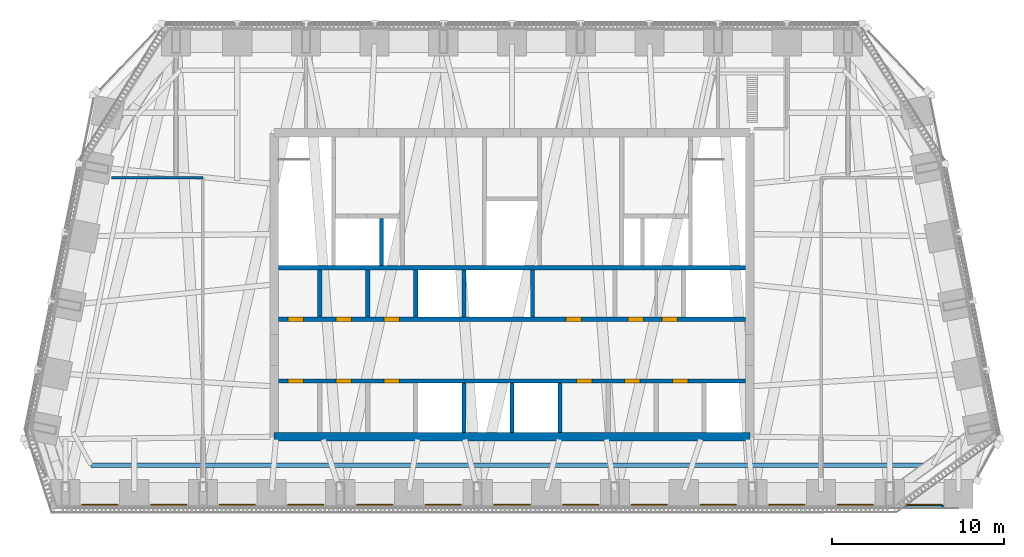
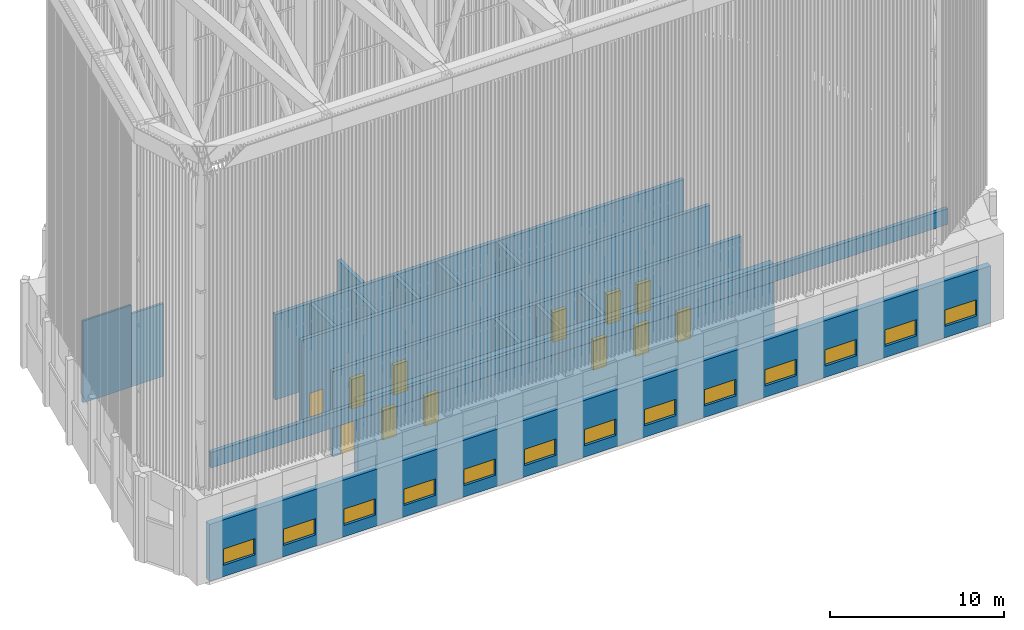
# One storey, part 5 of 15: 17 walls, 13 windows, 12 doors, 25 openings.
"""IFC4 building model written with IfcOpenShell, lengths in metres."""

from ifc_helpers import new_model, si_unit, direction, frame, frame_2d, origin, place, context, subcontext, project, spatial, rectangle, extrude, material, layer, layer_set, type_object, element, fill, save


model = new_model("IFC4")

# Units and contexts
model_context = context("Model", 3, precision=1e-05, world=origin(), true_north=direction((0.0, 1.0)))
body_context = subcontext(model_context, "Body", "Model", "MODEL_VIEW")
ifc_project = project(units=[si_unit("LENGTHUNIT", "METRE"), si_unit("AREAUNIT", "SQUARE_METRE"), si_unit("VOLUMEUNIT", "CUBIC_METRE"), si_unit("PLANEANGLEUNIT", "RADIAN"), si_unit("MASSUNIT", "GRAM", prefix="KILO")], contexts=[model_context])

# Site, building, storey
site_placement = place(None, origin())
site = spatial("IfcSite", under=ifc_project, at=site_placement, CompositionType="ELEMENT")
building_placement = place(site_placement, origin())
building = spatial("IfcBuilding", under=site, at=building_placement, Name="Isbrekke Arena Tower", CompositionType="ELEMENT")
storey_placement = place(building_placement, frame((0.0, 0.0, 324.0)))
storey = spatial("IfcBuildingStorey", under=building, at=storey_placement, Name="L76", CompositionType="ELEMENT", Elevation=324.0)

# Wall
ifc_material_1 = material(Name="Concrete B55 (C55/67)", Category="concrete")
ifc_layer_1 = layer(ifc_material_1, 0.5)
ifc_layer_set_1 = layer_set([ifc_layer_1], Name="CW5 CORE WALL 500")
wall_type_1 = type_object("IfcWallType", Name="CW5 CORE WALL 500", PredefinedType="SHEAR", material=ifc_layer_set_1)
wall_1_placement = place(storey_placement, frame((-13.85009765625, 6.14990234375, 0.0), z_axis=(0.0, 0.0, 1.0), x_axis=(1.0, 0.0, 0.0)))
element("IfcWall", 1, at=wall_1_placement, inside=storey, type_object=wall_type_1, Name="Core wall S L76", PredefinedType="SHEAR", context=body_context, shape_type="SweptSolid", body=[
    extrude(rectangle(XDim=27.7001953125, YDim=0.5, at=frame_2d((13.85009765625, 0.0))), origin(), (0.0, 0.0, 1.0), 6.0),
])

# Wall, openings, doors
ifc_material_2 = material(Name="Concrete B45 (C45/55)", Category="concrete")
ifc_layer_2 = layer(ifc_material_2, 0.25)
ifc_layer_set_2 = layer_set([ifc_layer_2], Name="CW6 SHAFT WALL 250")
wall_type_2 = type_object("IfcWallType", Name="CW6 SHAFT WALL 250", PredefinedType="SHEAR", material=ifc_layer_set_2)
wall_2_placement = place(storey_placement, frame((-13.60009765625, 9.39990234375, 0.0), z_axis=(0.0, 0.0, 1.0), x_axis=(1.0, 0.0, 0.0)))
wall_2 = element("IfcWall", 2, at=wall_2_placement, inside=storey, type_object=wall_type_2, Name="Core wall LS L76", PredefinedType="SHEAR", context=body_context, shape_type="SweptSolid", body=[
    extrude(rectangle(XDim=27.2001953125, YDim=0.25, at=frame_2d((13.60009765625, 0.0))), origin(), (0.0, 0.0, 1.0), 6.0),
])
opening_1_placement = place(wall_2_placement, frame((0.550048828125, 0.0, 0.0)))
opening_1 = element("IfcOpeningElement", 3, at=opening_1_placement, cuts=wall_2, Name="Opening D5", PredefinedType="OPENING", context=body_context, shape_type="SweptSolid", body=[
    extrude(rectangle(XDim=0.89990234375, YDim=2.10009765625, at=frame_2d((0.449951171875, 1.050048828125))), frame((0.0, 0.139892578125, 0.0), z_axis=(0.0, -1.0, 0.0), x_axis=(1.0, 0.0, 0.0)), (0.0, 0.0, 1.0), 0.27978515625),
])
opening_2_placement = place(wall_2_placement, frame((3.35009765625, 0.0, 0.0)))
opening_2 = element("IfcOpeningElement", 4, at=opening_2_placement, cuts=wall_2, Name="Opening D5", PredefinedType="OPENING", context=body_context, shape_type="SweptSolid", body=[
    extrude(rectangle(XDim=0.89990234375, YDim=2.10009765625, at=frame_2d((0.449951171875, 1.050048828125))), frame((0.0, 0.139892578125, 0.0), z_axis=(0.0, -1.0, 0.0), x_axis=(1.0, 0.0, 0.0)), (0.0, 0.0, 1.0), 0.27978515625),
])
opening_3_placement = place(wall_2_placement, frame((6.14990234375, 0.0, 0.0)))
opening_3 = element("IfcOpeningElement", 5, at=opening_3_placement, cuts=wall_2, Name="Opening D5", PredefinedType="OPENING", context=body_context, shape_type="SweptSolid", body=[
    extrude(rectangle(XDim=0.89990234375, YDim=2.10009765625, at=frame_2d((0.449951171875, 1.050048828125))), frame((0.0, 0.139892578125, 0.0), z_axis=(0.0, -1.0, 0.0), x_axis=(1.0, 0.0, 0.0)), (0.0, 0.0, 1.0), 0.27978515625),
])
opening_4_placement = place(wall_2_placement, frame((17.35009765625, 0.0, 0.0)))
opening_4 = element("IfcOpeningElement", 6, at=opening_4_placement, cuts=wall_2, Name="Opening D5", PredefinedType="OPENING", context=body_context, shape_type="SweptSolid", body=[
    extrude(rectangle(XDim=0.89990234375, YDim=2.10009765625, at=frame_2d((0.449951171875, 1.050048828125))), frame((0.0, 0.139892578125, 0.0), z_axis=(0.0, -1.0, 0.0), x_axis=(1.0, 0.0, 0.0)), (0.0, 0.0, 1.0), 0.27978515625),
])
opening_5_placement = place(wall_2_placement, frame((20.14990234375, 0.0, 0.0)))
opening_5 = element("IfcOpeningElement", 7, at=opening_5_placement, cuts=wall_2, Name="Opening D5", PredefinedType="OPENING", context=body_context, shape_type="SweptSolid", body=[
    extrude(rectangle(XDim=0.89990234375, YDim=2.10009765625, at=frame_2d((0.449951171875, 1.050048828125))), frame((0.0, 0.139892578125, 0.0), z_axis=(0.0, -1.0, 0.0), x_axis=(1.0, 0.0, 0.0)), (0.0, 0.0, 1.0), 0.27978515625),
])
opening_6_placement = place(wall_2_placement, frame((22.949951171875, 0.0, 0.0)))
opening_6 = element("IfcOpeningElement", 8, at=opening_6_placement, cuts=wall_2, Name="Opening D5", PredefinedType="OPENING", context=body_context, shape_type="SweptSolid", body=[
    extrude(rectangle(XDim=0.89990234375, YDim=2.10009765625, at=frame_2d((0.449951171875, 1.050048828125))), frame((0.0, 0.139892578125, 0.0), z_axis=(0.0, -1.0, 0.0), x_axis=(1.0, 0.0, 0.0)), (0.0, 0.0, 1.0), 0.27978515625),
])
ifc_material_3 = material(Name="Steel fire door", Category="steel")
door_type = type_object("IfcDoorType", Name="D5 SERVICE DOOR 900 x 2100", OperationType="SINGLE_SWING_LEFT", PredefinedType="DOOR", material=ifc_material_3)
door_1_placement = place(opening_1_placement, origin())
door_1 = element("IfcDoor", 9, at=door_1_placement, inside=storey, type_object=door_type, Name="D5 plant store door L76", OperationType="SINGLE_SWING_LEFT", OverallHeight=2.10009765625, OverallWidth=0.89990234375, PredefinedType="DOOR", context=body_context, shape_type="SweptSolid", body=[
    extrude(rectangle(XDim=0.89990234375, YDim=2.10009765625, at=frame_2d((0.449951171875, 1.050048828125))), frame((0.0, 0.124755859375, 0.0), z_axis=(0.0, -1.0, 0.0), x_axis=(1.0, 0.0, 0.0)), (0.0, 0.0, 1.0), 0.24951171875),
])
fill(opening_1, door_1)
door_2_placement = place(opening_2_placement, origin())
door_2 = element("IfcDoor", 10, at=door_2_placement, inside=storey, type_object=door_type, Name="D5 plant store door L76", OperationType="SINGLE_SWING_LEFT", OverallHeight=2.10009765625, OverallWidth=0.89990234375, PredefinedType="DOOR", context=body_context, shape_type="SweptSolid", body=[
    extrude(rectangle(XDim=0.89990234375, YDim=2.10009765625, at=frame_2d((0.449951171875, 1.050048828125))), frame((0.0, 0.124755859375, 0.0), z_axis=(0.0, -1.0, 0.0), x_axis=(1.0, 0.0, 0.0)), (0.0, 0.0, 1.0), 0.24951171875),
])
fill(opening_2, door_2)
door_3_placement = place(opening_3_placement, origin())
door_3 = element("IfcDoor", 11, at=door_3_placement, inside=storey, type_object=door_type, Name="D5 plant store door L76", OperationType="SINGLE_SWING_LEFT", OverallHeight=2.10009765625, OverallWidth=0.89990234375, PredefinedType="DOOR", context=body_context, shape_type="SweptSolid", body=[
    extrude(rectangle(XDim=0.89990234375, YDim=2.10009765625, at=frame_2d((0.449951171875, 1.050048828125))), frame((0.0, 0.124755859375, 0.0), z_axis=(0.0, -1.0, 0.0), x_axis=(1.0, 0.0, 0.0)), (0.0, 0.0, 1.0), 0.24951171875),
])
fill(opening_3, door_3)
door_4_placement = place(opening_4_placement, origin())
door_4 = element("IfcDoor", 12, at=door_4_placement, inside=storey, type_object=door_type, Name="D5 plant store door L76", OperationType="SINGLE_SWING_LEFT", OverallHeight=2.10009765625, OverallWidth=0.89990234375, PredefinedType="DOOR", context=body_context, shape_type="SweptSolid", body=[
    extrude(rectangle(XDim=0.89990234375, YDim=2.10009765625, at=frame_2d((0.449951171875, 1.050048828125))), frame((0.0, 0.124755859375, 0.0), z_axis=(0.0, -1.0, 0.0), x_axis=(1.0, 0.0, 0.0)), (0.0, 0.0, 1.0), 0.24951171875),
])
fill(opening_4, door_4)
door_5_placement = place(opening_5_placement, origin())
door_5 = element("IfcDoor", 13, at=door_5_placement, inside=storey, type_object=door_type, Name="D5 plant store door L76", OperationType="SINGLE_SWING_LEFT", OverallHeight=2.10009765625, OverallWidth=0.89990234375, PredefinedType="DOOR", context=body_context, shape_type="SweptSolid", body=[
    extrude(rectangle(XDim=0.89990234375, YDim=2.10009765625, at=frame_2d((0.449951171875, 1.050048828125))), frame((0.0, 0.124755859375, 0.0), z_axis=(0.0, -1.0, 0.0), x_axis=(1.0, 0.0, 0.0)), (0.0, 0.0, 1.0), 0.24951171875),
])
fill(opening_5, door_5)
door_6_placement = place(opening_6_placement, origin())
door_6 = element("IfcDoor", 14, at=door_6_placement, inside=storey, type_object=door_type, Name="D5 plant store door L76", OperationType="SINGLE_SWING_LEFT", OverallHeight=2.10009765625, OverallWidth=0.89990234375, PredefinedType="DOOR", context=body_context, shape_type="SweptSolid", body=[
    extrude(rectangle(XDim=0.89990234375, YDim=2.10009765625, at=frame_2d((0.449951171875, 1.050048828125))), frame((0.0, 0.124755859375, 0.0), z_axis=(0.0, -1.0, 0.0), x_axis=(1.0, 0.0, 0.0)), (0.0, 0.0, 1.0), 0.24951171875),
])
fill(opening_6, door_6)

wall_3_placement = place(storey_placement, frame((-13.60009765625, 13.0, 0.0), z_axis=(0.0, 0.0, 1.0), x_axis=(1.0, 0.0, 0.0)))
wall_3 = element("IfcWall", 15, at=wall_3_placement, inside=storey, type_object=wall_type_2, Name="Core wall LN L76", PredefinedType="SHEAR", context=body_context, shape_type="SweptSolid", body=[
    extrude(rectangle(XDim=27.2001953125, YDim=0.25, at=frame_2d((13.60009765625, 0.0))), origin(), (0.0, 0.0, 1.0), 6.0),
])
opening_7_placement = place(wall_3_placement, frame((0.550048828125, 0.0, 0.0)))
opening_7 = element("IfcOpeningElement", 16, at=opening_7_placement, cuts=wall_3, Name="Opening D5", PredefinedType="OPENING", context=body_context, shape_type="SweptSolid", body=[
    extrude(rectangle(XDim=0.89990234375, YDim=2.10009765625, at=frame_2d((0.449951171875, 1.050048828125))), frame((0.0, 0.139892578125, 0.0), z_axis=(0.0, -1.0, 0.0), x_axis=(1.0, 0.0, 0.0)), (0.0, 0.0, 1.0), 0.27978515625),
])
opening_8_placement = place(wall_3_placement, frame((3.35009765625, 0.0, 0.0)))
opening_8 = element("IfcOpeningElement", 17, at=opening_8_placement, cuts=wall_3, Name="Opening D5", PredefinedType="OPENING", context=body_context, shape_type="SweptSolid", body=[
    extrude(rectangle(XDim=0.89990234375, YDim=2.10009765625, at=frame_2d((0.449951171875, 1.050048828125))), frame((0.0, 0.139892578125, 0.0), z_axis=(0.0, -1.0, 0.0), x_axis=(1.0, 0.0, 0.0)), (0.0, 0.0, 1.0), 0.27978515625),
])
opening_9_placement = place(wall_3_placement, frame((6.14990234375, 0.0, 0.0)))
opening_9 = element("IfcOpeningElement", 18, at=opening_9_placement, cuts=wall_3, Name="Opening D5", PredefinedType="OPENING", context=body_context, shape_type="SweptSolid", body=[
    extrude(rectangle(XDim=0.89990234375, YDim=2.10009765625, at=frame_2d((0.449951171875, 1.050048828125))), frame((0.0, 0.139892578125, 0.0), z_axis=(0.0, -1.0, 0.0), x_axis=(1.0, 0.0, 0.0)), (0.0, 0.0, 1.0), 0.27978515625),
])
opening_10_placement = place(wall_3_placement, frame((16.75, 0.0, 0.0)))
opening_10 = element("IfcOpeningElement", 19, at=opening_10_placement, cuts=wall_3, Name="Opening D5", PredefinedType="OPENING", context=body_context, shape_type="SweptSolid", body=[
    extrude(rectangle(XDim=0.89990234375, YDim=2.10009765625, at=frame_2d((0.449951171875, 1.050048828125))), frame((0.0, 0.139892578125, 0.0), z_axis=(0.0, -1.0, 0.0), x_axis=(1.0, 0.0, 0.0)), (0.0, 0.0, 1.0), 0.27978515625),
])
opening_11_placement = place(wall_3_placement, frame((20.35009765625, 0.0, 0.0)))
opening_11 = element("IfcOpeningElement", 20, at=opening_11_placement, cuts=wall_3, Name="Opening D5", PredefinedType="OPENING", context=body_context, shape_type="SweptSolid", body=[
    extrude(rectangle(XDim=0.89990234375, YDim=2.10009765625, at=frame_2d((0.449951171875, 1.050048828125))), frame((0.0, 0.139892578125, 0.0), z_axis=(0.0, -1.0, 0.0), x_axis=(1.0, 0.0, 0.0)), (0.0, 0.0, 1.0), 0.27978515625),
])
opening_12_placement = place(wall_3_placement, frame((22.35009765625, 0.0, 0.0)))
opening_12 = element("IfcOpeningElement", 21, at=opening_12_placement, cuts=wall_3, Name="Opening D5", PredefinedType="OPENING", context=body_context, shape_type="SweptSolid", body=[
    extrude(rectangle(XDim=0.89990234375, YDim=2.10009765625, at=frame_2d((0.449951171875, 1.050048828125))), frame((0.0, 0.139892578125, 0.0), z_axis=(0.0, -1.0, 0.0), x_axis=(1.0, 0.0, 0.0)), (0.0, 0.0, 1.0), 0.27978515625),
])
door_7_placement = place(opening_7_placement, origin())
door_7 = element("IfcDoor", 22, at=door_7_placement, inside=storey, type_object=door_type, Name="D5 plant store door L76", OperationType="SINGLE_SWING_LEFT", OverallHeight=2.10009765625, OverallWidth=0.89990234375, PredefinedType="DOOR", context=body_context, shape_type="SweptSolid", body=[
    extrude(rectangle(XDim=0.89990234375, YDim=2.10009765625, at=frame_2d((0.449951171875, 1.050048828125))), frame((0.0, 0.124755859375, 0.0), z_axis=(0.0, -1.0, 0.0), x_axis=(1.0, 0.0, 0.0)), (0.0, 0.0, 1.0), 0.24951171875),
])
fill(opening_7, door_7)
door_8_placement = place(opening_8_placement, origin())
door_8 = element("IfcDoor", 23, at=door_8_placement, inside=storey, type_object=door_type, Name="D5 plant store door L76", OperationType="SINGLE_SWING_LEFT", OverallHeight=2.10009765625, OverallWidth=0.89990234375, PredefinedType="DOOR", context=body_context, shape_type="SweptSolid", body=[
    extrude(rectangle(XDim=0.89990234375, YDim=2.10009765625, at=frame_2d((0.449951171875, 1.050048828125))), frame((0.0, 0.124755859375, 0.0), z_axis=(0.0, -1.0, 0.0), x_axis=(1.0, 0.0, 0.0)), (0.0, 0.0, 1.0), 0.24951171875),
])
fill(opening_8, door_8)
door_9_placement = place(opening_9_placement, origin())
door_9 = element("IfcDoor", 24, at=door_9_placement, inside=storey, type_object=door_type, Name="D5 plant store door L76", OperationType="SINGLE_SWING_LEFT", OverallHeight=2.10009765625, OverallWidth=0.89990234375, PredefinedType="DOOR", context=body_context, shape_type="SweptSolid", body=[
    extrude(rectangle(XDim=0.89990234375, YDim=2.10009765625, at=frame_2d((0.449951171875, 1.050048828125))), frame((0.0, 0.124755859375, 0.0), z_axis=(0.0, -1.0, 0.0), x_axis=(1.0, 0.0, 0.0)), (0.0, 0.0, 1.0), 0.24951171875),
])
fill(opening_9, door_9)
door_10_placement = place(opening_10_placement, origin())
door_10 = element("IfcDoor", 25, at=door_10_placement, inside=storey, type_object=door_type, Name="D5 tenant store door L76", OperationType="SINGLE_SWING_LEFT", OverallHeight=2.10009765625, OverallWidth=0.89990234375, PredefinedType="DOOR", context=body_context, shape_type="SweptSolid", body=[
    extrude(rectangle(XDim=0.89990234375, YDim=2.10009765625, at=frame_2d((0.449951171875, 1.050048828125))), frame((0.0, 0.124755859375, 0.0), z_axis=(0.0, -1.0, 0.0), x_axis=(1.0, 0.0, 0.0)), (0.0, 0.0, 1.0), 0.24951171875),
])
fill(opening_10, door_10)
door_11_placement = place(opening_11_placement, origin())
door_11 = element("IfcDoor", 26, at=door_11_placement, inside=storey, type_object=door_type, Name="D5 communications room door L76", OperationType="SINGLE_SWING_LEFT", OverallHeight=2.10009765625, OverallWidth=0.89990234375, PredefinedType="DOOR", context=body_context, shape_type="SweptSolid", body=[
    extrude(rectangle(XDim=0.89990234375, YDim=2.10009765625, at=frame_2d((0.449951171875, 1.050048828125))), frame((0.0, 0.124755859375, 0.0), z_axis=(0.0, -1.0, 0.0), x_axis=(1.0, 0.0, 0.0)), (0.0, 0.0, 1.0), 0.24951171875),
])
fill(opening_11, door_11)
door_12_placement = place(opening_12_placement, origin())
door_12 = element("IfcDoor", 27, at=door_12_placement, inside=storey, type_object=door_type, Name="D5 cleaner's store door L76", OperationType="SINGLE_SWING_LEFT", OverallHeight=2.10009765625, OverallWidth=0.89990234375, PredefinedType="DOOR", context=body_context, shape_type="SweptSolid", body=[
    extrude(rectangle(XDim=0.89990234375, YDim=2.10009765625, at=frame_2d((0.449951171875, 1.050048828125))), frame((0.0, 0.124755859375, 0.0), z_axis=(0.0, -1.0, 0.0), x_axis=(1.0, 0.0, 0.0)), (0.0, 0.0, 1.0), 0.24951171875),
])
fill(opening_12, door_12)

# Walls
wall_4_placement = place(storey_placement, frame((-13.60009765625, 16.0, 0.0), z_axis=(0.0, 0.0, 1.0), x_axis=(1.0, 0.0, 0.0)))
element("IfcWall", 28, at=wall_4_placement, inside=storey, type_object=wall_type_2, Name="Core wall NB L76", PredefinedType="SHEAR", context=body_context, shape_type="SweptSolid", body=[
    extrude(rectangle(XDim=27.2001953125, YDim=0.25, at=frame_2d((13.60009765625, 0.0))), origin(), (0.0, 0.0, 1.0), 6.0),
])
for number, where, z_axis, x_axis, name in (
    (29, (-2.800048828125, 6.39990234375, 0.0), (0.0, 0.0, 1.0), (0.0, 1.0, 0.0), "Core wall SS04 L76"),
    (30, (0.0, 6.39990234375, 0.0), (0.0, 0.0, 1.0), (0.0, 1.0, 0.0), "Core wall SS05 L76"),
    (31, (2.800048828125, 6.39990234375, 0.0), (0.0, 0.0, 1.0), (0.0, 1.0, 0.0), "Core wall SS06 L76"),
):
    element("IfcWall", number, at=place(storey_placement, frame(where, z_axis=z_axis, x_axis=x_axis)), inside=storey, type_object=wall_type_2, Name=name, PredefinedType="SHEAR", context=body_context, shape_type="SweptSolid", body=[
        extrude(rectangle(XDim=2.875, YDim=0.25, at=frame_2d((1.4375, 0.0))), origin(), (0.0, 0.0, 1.0), 6.0),
    ])
for number, where, z_axis, x_axis, name in (
    (32, (-11.199951171875, 13.125, 0.0), (0.0, 0.0, 1.0), (0.0, 1.0, 0.0), "Core wall SN01 L76"),
    (33, (-8.39990234375, 13.125, 0.0), (0.0, 0.0, 1.0), (0.0, 1.0, 0.0), "Core wall SN02 L76"),
    (34, (-5.60009765625, 13.125, 0.0), (0.0, 0.0, 1.0), (0.0, 1.0, 0.0), "Core wall SN03 L76"),
    (35, (-2.800048828125, 13.125, 0.0), (0.0, 0.0, 1.0), (0.0, 1.0, 0.0), "Core wall SN04 L76"),
    (36, (1.199951171875, 13.125, 0.0), (0.0, 0.0, 1.0), (0.0, 1.0, 0.0), "Core wall SN05 L76"),
    (37, (-7.60009765625, 16.125, 0.0), (0.0, 0.0, 1.0), (0.0, 1.0, 0.0), "Core wall NFS1 L76"),
):
    element("IfcWall", number, at=place(storey_placement, frame(where, z_axis=z_axis, x_axis=x_axis)), inside=storey, type_object=wall_type_2, Name=name, PredefinedType="SHEAR", context=body_context, shape_type="SweptSolid", body=[
        extrude(rectangle(XDim=2.75, YDim=0.25, at=frame_2d((1.375, 0.0))), origin(), (0.0, 0.0, 1.0), 6.0),
    ])

# Wall, openings, windows
ifc_material_4 = material(Name="Copper cladding on insulated framing", Category="metal")
ifc_layer_3 = layer(ifc_material_4, 0.39990234375)
ifc_layer_set_3 = layer_set([ifc_layer_3], Name="EW2 COPPER-CLAD WALL 400")
wall_type_3 = type_object("IfcWallType", Name="EW2 COPPER-CLAD WALL 400", PredefinedType="SOLIDWALL", material=ifc_layer_set_3)
wall_5_placement = place(storey_placement, frame((-26.0, 2.199951171875, 0.0), z_axis=(0.0, 0.0, 1.0), x_axis=(1.0, 0.0, 0.0)))
wall_5 = element("IfcWall", 38, at=wall_5_placement, inside=storey, type_object=wall_type_3, Name="EW2 terrace wall L76", PredefinedType="SOLIDWALL", context=body_context, shape_type="SweptSolid", body=[
    extrude(rectangle(XDim=52.0, YDim=0.39990234375, at=frame_2d((26.0, 0.0))), origin(), (0.0, 0.0, 1.0), 4.0),
])
opening_13_placement = place(wall_5_placement, frame((0.949951171875, 0.0, 0.800048828125)))
opening_13 = element("IfcOpeningElement", 39, at=opening_13_placement, cuts=wall_5, Name="Opening WN1", PredefinedType="OPENING", context=body_context, shape_type="SweptSolid", body=[
    extrude(rectangle(XDim=2.10009765625, YDim=1.14990234375, at=frame_2d((1.050048828125, 0.574951171875))), frame((0.0, 0.21484375, 0.0), z_axis=(0.0, -1.0, 0.0), x_axis=(1.0, 0.0, 0.0)), (0.0, 0.0, 1.0), 0.4296875),
])
opening_14_placement = place(wall_5_placement, frame((4.949951171875, 0.0, 0.800048828125)))
opening_14 = element("IfcOpeningElement", 40, at=opening_14_placement, cuts=wall_5, Name="Opening WN1", PredefinedType="OPENING", context=body_context, shape_type="SweptSolid", body=[
    extrude(rectangle(XDim=2.10009765625, YDim=1.14990234375, at=frame_2d((1.050048828125, 0.574951171875))), frame((0.0, 0.21484375, 0.0), z_axis=(0.0, -1.0, 0.0), x_axis=(1.0, 0.0, 0.0)), (0.0, 0.0, 1.0), 0.4296875),
])
opening_15_placement = place(wall_5_placement, frame((8.949951171875, 0.0, 0.800048828125)))
opening_15 = element("IfcOpeningElement", 41, at=opening_15_placement, cuts=wall_5, Name="Opening WN1", PredefinedType="OPENING", context=body_context, shape_type="SweptSolid", body=[
    extrude(rectangle(XDim=2.10009765625, YDim=1.14990234375, at=frame_2d((1.050048828125, 0.574951171875))), frame((0.0, 0.21484375, 0.0), z_axis=(0.0, -1.0, 0.0), x_axis=(1.0, 0.0, 0.0)), (0.0, 0.0, 1.0), 0.4296875),
])
opening_16_placement = place(wall_5_placement, frame((12.949951171875, 0.0, 0.800048828125)))
opening_16 = element("IfcOpeningElement", 42, at=opening_16_placement, cuts=wall_5, Name="Opening WN1", PredefinedType="OPENING", context=body_context, shape_type="SweptSolid", body=[
    extrude(rectangle(XDim=2.10009765625, YDim=1.14990234375, at=frame_2d((1.050048828125, 0.574951171875))), frame((0.0, 0.21484375, 0.0), z_axis=(0.0, -1.0, 0.0), x_axis=(1.0, 0.0, 0.0)), (0.0, 0.0, 1.0), 0.4296875),
])
opening_17_placement = place(wall_5_placement, frame((16.949951171875, 0.0, 0.800048828125)))
opening_17 = element("IfcOpeningElement", 43, at=opening_17_placement, cuts=wall_5, Name="Opening WN1", PredefinedType="OPENING", context=body_context, shape_type="SweptSolid", body=[
    extrude(rectangle(XDim=2.10009765625, YDim=1.14990234375, at=frame_2d((1.050048828125, 0.574951171875))), frame((0.0, 0.21484375, 0.0), z_axis=(0.0, -1.0, 0.0), x_axis=(1.0, 0.0, 0.0)), (0.0, 0.0, 1.0), 0.4296875),
])
opening_18_placement = place(wall_5_placement, frame((20.949951171875, 0.0, 0.800048828125)))
opening_18 = element("IfcOpeningElement", 44, at=opening_18_placement, cuts=wall_5, Name="Opening WN1", PredefinedType="OPENING", context=body_context, shape_type="SweptSolid", body=[
    extrude(rectangle(XDim=2.10009765625, YDim=1.14990234375, at=frame_2d((1.050048828125, 0.574951171875))), frame((0.0, 0.21484375, 0.0), z_axis=(0.0, -1.0, 0.0), x_axis=(1.0, 0.0, 0.0)), (0.0, 0.0, 1.0), 0.4296875),
])
opening_19_placement = place(wall_5_placement, frame((24.949951171875, 0.0, 0.800048828125)))
opening_19 = element("IfcOpeningElement", 45, at=opening_19_placement, cuts=wall_5, Name="Opening WN1", PredefinedType="OPENING", context=body_context, shape_type="SweptSolid", body=[
    extrude(rectangle(XDim=2.10009765625, YDim=1.14990234375, at=frame_2d((1.050048828125, 0.574951171875))), frame((0.0, 0.21484375, 0.0), z_axis=(0.0, -1.0, 0.0), x_axis=(1.0, 0.0, 0.0)), (0.0, 0.0, 1.0), 0.4296875),
])
opening_20_placement = place(wall_5_placement, frame((28.949951171875, 0.0, 0.800048828125)))
opening_20 = element("IfcOpeningElement", 46, at=opening_20_placement, cuts=wall_5, Name="Opening WN1", PredefinedType="OPENING", context=body_context, shape_type="SweptSolid", body=[
    extrude(rectangle(XDim=2.10009765625, YDim=1.14990234375, at=frame_2d((1.050048828125, 0.574951171875))), frame((0.0, 0.21484375, 0.0), z_axis=(0.0, -1.0, 0.0), x_axis=(1.0, 0.0, 0.0)), (0.0, 0.0, 1.0), 0.4296875),
])
opening_21_placement = place(wall_5_placement, frame((32.949951171875, 0.0, 0.800048828125)))
opening_21 = element("IfcOpeningElement", 47, at=opening_21_placement, cuts=wall_5, Name="Opening WN1", PredefinedType="OPENING", context=body_context, shape_type="SweptSolid", body=[
    extrude(rectangle(XDim=2.10009765625, YDim=1.14990234375, at=frame_2d((1.050048828125, 0.574951171875))), frame((0.0, 0.21484375, 0.0), z_axis=(0.0, -1.0, 0.0), x_axis=(1.0, 0.0, 0.0)), (0.0, 0.0, 1.0), 0.4296875),
])
opening_22_placement = place(wall_5_placement, frame((36.949951171875, 0.0, 0.800048828125)))
opening_22 = element("IfcOpeningElement", 48, at=opening_22_placement, cuts=wall_5, Name="Opening WN1", PredefinedType="OPENING", context=body_context, shape_type="SweptSolid", body=[
    extrude(rectangle(XDim=2.10009765625, YDim=1.14990234375, at=frame_2d((1.050048828125, 0.574951171875))), frame((0.0, 0.21484375, 0.0), z_axis=(0.0, -1.0, 0.0), x_axis=(1.0, 0.0, 0.0)), (0.0, 0.0, 1.0), 0.4296875),
])
opening_23_placement = place(wall_5_placement, frame((40.949951171875, 0.0, 0.800048828125)))
opening_23 = element("IfcOpeningElement", 49, at=opening_23_placement, cuts=wall_5, Name="Opening WN1", PredefinedType="OPENING", context=body_context, shape_type="SweptSolid", body=[
    extrude(rectangle(XDim=2.10009765625, YDim=1.14990234375, at=frame_2d((1.050048828125, 0.574951171875))), frame((0.0, 0.21484375, 0.0), z_axis=(0.0, -1.0, 0.0), x_axis=(1.0, 0.0, 0.0)), (0.0, 0.0, 1.0), 0.4296875),
])
opening_24_placement = place(wall_5_placement, frame((44.949951171875, 0.0, 0.800048828125)))
opening_24 = element("IfcOpeningElement", 50, at=opening_24_placement, cuts=wall_5, Name="Opening WN1", PredefinedType="OPENING", context=body_context, shape_type="SweptSolid", body=[
    extrude(rectangle(XDim=2.10009765625, YDim=1.14990234375, at=frame_2d((1.050048828125, 0.574951171875))), frame((0.0, 0.21484375, 0.0), z_axis=(0.0, -1.0, 0.0), x_axis=(1.0, 0.0, 0.0)), (0.0, 0.0, 1.0), 0.4296875),
])
opening_25_placement = place(wall_5_placement, frame((48.949951171875, 0.0, 0.800048828125)))
opening_25 = element("IfcOpeningElement", 51, at=opening_25_placement, cuts=wall_5, Name="Opening WN1", PredefinedType="OPENING", context=body_context, shape_type="SweptSolid", body=[
    extrude(rectangle(XDim=2.10009765625, YDim=1.14990234375, at=frame_2d((1.050048828125, 0.574951171875))), frame((0.0, 0.21484375, 0.0), z_axis=(0.0, -1.0, 0.0), x_axis=(1.0, 0.0, 0.0)), (0.0, 0.0, 1.0), 0.4296875),
])
ifc_material_5 = material(Name="Timber-aluminium window, triple glazed", Category="wood")
window_type = type_object("IfcWindowType", Name="WN1 TERRACE WINDOW 2100 x 1150", PartitioningType="SINGLE_PANEL", PredefinedType="WINDOW", material=ifc_material_5)
window_1_placement = place(opening_13_placement, origin())
window_1 = element("IfcWindow", 52, at=window_1_placement, inside=storey, type_object=window_type, Name="WN1 terrace window L76-1", OverallHeight=1.14990234375, OverallWidth=2.10009765625, PartitioningType="SINGLE_PANEL", PredefinedType="WINDOW", context=body_context, shape_type="SweptSolid", body=[
    extrude(rectangle(XDim=2.10009765625, YDim=1.14990234375, at=frame_2d((1.050048828125, 0.574951171875))), frame((0.0, 0.030029296875, 0.0), z_axis=(0.0, -1.0, 0.0), x_axis=(1.0, 0.0, 0.0)), (0.0, 0.0, 1.0), 0.06005859375),
])
fill(opening_13, window_1)
window_2_placement = place(opening_14_placement, origin())
window_2 = element("IfcWindow", 53, at=window_2_placement, inside=storey, type_object=window_type, Name="WN1 terrace window L76-2", OverallHeight=1.14990234375, OverallWidth=2.10009765625, PartitioningType="SINGLE_PANEL", PredefinedType="WINDOW", context=body_context, shape_type="SweptSolid", body=[
    extrude(rectangle(XDim=2.10009765625, YDim=1.14990234375, at=frame_2d((1.050048828125, 0.574951171875))), frame((0.0, 0.030029296875, 0.0), z_axis=(0.0, -1.0, 0.0), x_axis=(1.0, 0.0, 0.0)), (0.0, 0.0, 1.0), 0.06005859375),
])
fill(opening_14, window_2)
window_3_placement = place(opening_15_placement, origin())
window_3 = element("IfcWindow", 54, at=window_3_placement, inside=storey, type_object=window_type, Name="WN1 terrace window L76-3", OverallHeight=1.14990234375, OverallWidth=2.10009765625, PartitioningType="SINGLE_PANEL", PredefinedType="WINDOW", context=body_context, shape_type="SweptSolid", body=[
    extrude(rectangle(XDim=2.10009765625, YDim=1.14990234375, at=frame_2d((1.050048828125, 0.574951171875))), frame((0.0, 0.030029296875, 0.0), z_axis=(0.0, -1.0, 0.0), x_axis=(1.0, 0.0, 0.0)), (0.0, 0.0, 1.0), 0.06005859375),
])
fill(opening_15, window_3)
window_4_placement = place(opening_16_placement, origin())
window_4 = element("IfcWindow", 55, at=window_4_placement, inside=storey, type_object=window_type, Name="WN1 terrace window L76-4", OverallHeight=1.14990234375, OverallWidth=2.10009765625, PartitioningType="SINGLE_PANEL", PredefinedType="WINDOW", context=body_context, shape_type="SweptSolid", body=[
    extrude(rectangle(XDim=2.10009765625, YDim=1.14990234375, at=frame_2d((1.050048828125, 0.574951171875))), frame((0.0, 0.030029296875, 0.0), z_axis=(0.0, -1.0, 0.0), x_axis=(1.0, 0.0, 0.0)), (0.0, 0.0, 1.0), 0.06005859375),
])
fill(opening_16, window_4)
window_5_placement = place(opening_17_placement, origin())
window_5 = element("IfcWindow", 56, at=window_5_placement, inside=storey, type_object=window_type, Name="WN1 terrace window L76-5", OverallHeight=1.14990234375, OverallWidth=2.10009765625, PartitioningType="SINGLE_PANEL", PredefinedType="WINDOW", context=body_context, shape_type="SweptSolid", body=[
    extrude(rectangle(XDim=2.10009765625, YDim=1.14990234375, at=frame_2d((1.050048828125, 0.574951171875))), frame((0.0, 0.030029296875, 0.0), z_axis=(0.0, -1.0, 0.0), x_axis=(1.0, 0.0, 0.0)), (0.0, 0.0, 1.0), 0.06005859375),
])
fill(opening_17, window_5)
window_6_placement = place(opening_18_placement, origin())
window_6 = element("IfcWindow", 57, at=window_6_placement, inside=storey, type_object=window_type, Name="WN1 terrace window L76-6", OverallHeight=1.14990234375, OverallWidth=2.10009765625, PartitioningType="SINGLE_PANEL", PredefinedType="WINDOW", context=body_context, shape_type="SweptSolid", body=[
    extrude(rectangle(XDim=2.10009765625, YDim=1.14990234375, at=frame_2d((1.050048828125, 0.574951171875))), frame((0.0, 0.030029296875, 0.0), z_axis=(0.0, -1.0, 0.0), x_axis=(1.0, 0.0, 0.0)), (0.0, 0.0, 1.0), 0.06005859375),
])
fill(opening_18, window_6)
window_7_placement = place(opening_19_placement, origin())
window_7 = element("IfcWindow", 58, at=window_7_placement, inside=storey, type_object=window_type, Name="WN1 terrace window L76-7", OverallHeight=1.14990234375, OverallWidth=2.10009765625, PartitioningType="SINGLE_PANEL", PredefinedType="WINDOW", context=body_context, shape_type="SweptSolid", body=[
    extrude(rectangle(XDim=2.10009765625, YDim=1.14990234375, at=frame_2d((1.050048828125, 0.574951171875))), frame((0.0, 0.030029296875, 0.0), z_axis=(0.0, -1.0, 0.0), x_axis=(1.0, 0.0, 0.0)), (0.0, 0.0, 1.0), 0.06005859375),
])
fill(opening_19, window_7)
window_8_placement = place(opening_20_placement, origin())
window_8 = element("IfcWindow", 59, at=window_8_placement, inside=storey, type_object=window_type, Name="WN1 terrace window L76-8", OverallHeight=1.14990234375, OverallWidth=2.10009765625, PartitioningType="SINGLE_PANEL", PredefinedType="WINDOW", context=body_context, shape_type="SweptSolid", body=[
    extrude(rectangle(XDim=2.10009765625, YDim=1.14990234375, at=frame_2d((1.050048828125, 0.574951171875))), frame((0.0, 0.030029296875, 0.0), z_axis=(0.0, -1.0, 0.0), x_axis=(1.0, 0.0, 0.0)), (0.0, 0.0, 1.0), 0.06005859375),
])
fill(opening_20, window_8)
window_9_placement = place(opening_21_placement, origin())
window_9 = element("IfcWindow", 60, at=window_9_placement, inside=storey, type_object=window_type, Name="WN1 terrace window L76-9", OverallHeight=1.14990234375, OverallWidth=2.10009765625, PartitioningType="SINGLE_PANEL", PredefinedType="WINDOW", context=body_context, shape_type="SweptSolid", body=[
    extrude(rectangle(XDim=2.10009765625, YDim=1.14990234375, at=frame_2d((1.050048828125, 0.574951171875))), frame((0.0, 0.030029296875, 0.0), z_axis=(0.0, -1.0, 0.0), x_axis=(1.0, 0.0, 0.0)), (0.0, 0.0, 1.0), 0.06005859375),
])
fill(opening_21, window_9)
window_10_placement = place(opening_22_placement, origin())
window_10 = element("IfcWindow", 61, at=window_10_placement, inside=storey, type_object=window_type, Name="WN1 terrace window L76-10", OverallHeight=1.14990234375, OverallWidth=2.10009765625, PartitioningType="SINGLE_PANEL", PredefinedType="WINDOW", context=body_context, shape_type="SweptSolid", body=[
    extrude(rectangle(XDim=2.10009765625, YDim=1.14990234375, at=frame_2d((1.050048828125, 0.574951171875))), frame((0.0, 0.030029296875, 0.0), z_axis=(0.0, -1.0, 0.0), x_axis=(1.0, 0.0, 0.0)), (0.0, 0.0, 1.0), 0.06005859375),
])
fill(opening_22, window_10)
window_11_placement = place(opening_23_placement, origin())
window_11 = element("IfcWindow", 62, at=window_11_placement, inside=storey, type_object=window_type, Name="WN1 terrace window L76-11", OverallHeight=1.14990234375, OverallWidth=2.10009765625, PartitioningType="SINGLE_PANEL", PredefinedType="WINDOW", context=body_context, shape_type="SweptSolid", body=[
    extrude(rectangle(XDim=2.10009765625, YDim=1.14990234375, at=frame_2d((1.050048828125, 0.574951171875))), frame((0.0, 0.030029296875, 0.0), z_axis=(0.0, -1.0, 0.0), x_axis=(1.0, 0.0, 0.0)), (0.0, 0.0, 1.0), 0.06005859375),
])
fill(opening_23, window_11)
window_12_placement = place(opening_24_placement, origin())
window_12 = element("IfcWindow", 63, at=window_12_placement, inside=storey, type_object=window_type, Name="WN1 terrace window L76-12", OverallHeight=1.14990234375, OverallWidth=2.10009765625, PartitioningType="SINGLE_PANEL", PredefinedType="WINDOW", context=body_context, shape_type="SweptSolid", body=[
    extrude(rectangle(XDim=2.10009765625, YDim=1.14990234375, at=frame_2d((1.050048828125, 0.574951171875))), frame((0.0, 0.030029296875, 0.0), z_axis=(0.0, -1.0, 0.0), x_axis=(1.0, 0.0, 0.0)), (0.0, 0.0, 1.0), 0.06005859375),
])
fill(opening_24, window_12)
window_13_placement = place(opening_25_placement, origin())
window_13 = element("IfcWindow", 64, at=window_13_placement, inside=storey, type_object=window_type, Name="WN1 terrace window L76-13", OverallHeight=1.14990234375, OverallWidth=2.10009765625, PartitioningType="SINGLE_PANEL", PredefinedType="WINDOW", context=body_context, shape_type="SweptSolid", body=[
    extrude(rectangle(XDim=2.10009765625, YDim=1.14990234375, at=frame_2d((1.050048828125, 0.574951171875))), frame((0.0, 0.030029296875, 0.0), z_axis=(0.0, -1.0, 0.0), x_axis=(1.0, 0.0, 0.0)), (0.0, 0.0, 1.0), 0.06005859375),
])
fill(opening_25, window_13)

# Walls
ifc_material_6 = material(Name="Gypsum board fire-rated partition on steel studs, two layers each side", Category="steel")
ifc_layer_4 = layer(ifc_material_6, 0.14990234375)
ifc_layer_set_4 = layer_set([ifc_layer_4], Name="IW5 FIRE-RATED PARTITION 150")
wall_type_4 = type_object("IfcWallType", Name="IW5 FIRE-RATED PARTITION 150", PredefinedType="PARTITIONING", material=ifc_layer_set_4)
wall_6_placement = place(storey_placement, frame((-18.0, 21.239990234375, 0.0), z_axis=(0.0, 0.0, 1.0), x_axis=(-1.0, 0.0, 0.0)))
element("IfcWall", 65, at=wall_6_placement, inside=storey, type_object=wall_type_4, Name="IW5 fire-rated partition L76 plant WWB", PredefinedType="PARTITIONING", context=body_context, shape_type="SweptSolid", body=[
    extrude(rectangle(XDim=2.125244140625, YDim=0.14990234375, at=frame_2d((1.0625, 0.0))), origin(), (0.0, 0.0, 1.0), 5.1298828125),
])
wall_7_placement = place(storey_placement, frame((-20.125244140625, 21.239990234375, 0.0), z_axis=(0.0, 0.0, 1.0), x_axis=(-1.0, 0.0, 0.0)))
element("IfcWall", 66, at=wall_7_placement, inside=storey, type_object=wall_type_4, Name="IW5 fire-rated partition L76 plant WWB", PredefinedType="PARTITIONING", context=body_context, shape_type="SweptSolid", body=[
    extrude(rectangle(XDim=3.21142578125, YDim=0.14990234375, at=frame_2d((1.605712890625, 0.0))), origin(), (0.0, 0.0, 1.0), 5.75),
])
ifc_material_7 = material(Name="Concrete B45 (C45/55)", Category="concrete")
ifc_layer_5 = layer(ifc_material_7, 0.25)
ifc_layer_set_5 = layer_set([ifc_layer_5], Name="PW1 PARAPET WALL 250")
wall_type_5 = type_object("IfcWallType", Name="PW1 PARAPET WALL 250", PredefinedType="PARAPET", material=ifc_layer_set_5)
wall_8_placement = place(storey_placement, frame((-24.521728515625, 4.5, 6.0), z_axis=(0.0, 0.0, 1.0), x_axis=(1.0, 0.0, 0.0)))
element("IfcWall", 67, at=wall_8_placement, inside=storey, type_object=wall_type_5, Name="PW1 tower roof parapet 1", PredefinedType="PARAPET", context=body_context, shape_type="SweptSolid", body=[
    extrude(rectangle(XDim=49.04345703125, YDim=0.25, at=frame_2d((24.521728515625, 0.0))), origin(), (0.0, 0.0, 1.0), 1.10009765625),
])

save(model, "model.ifc")
